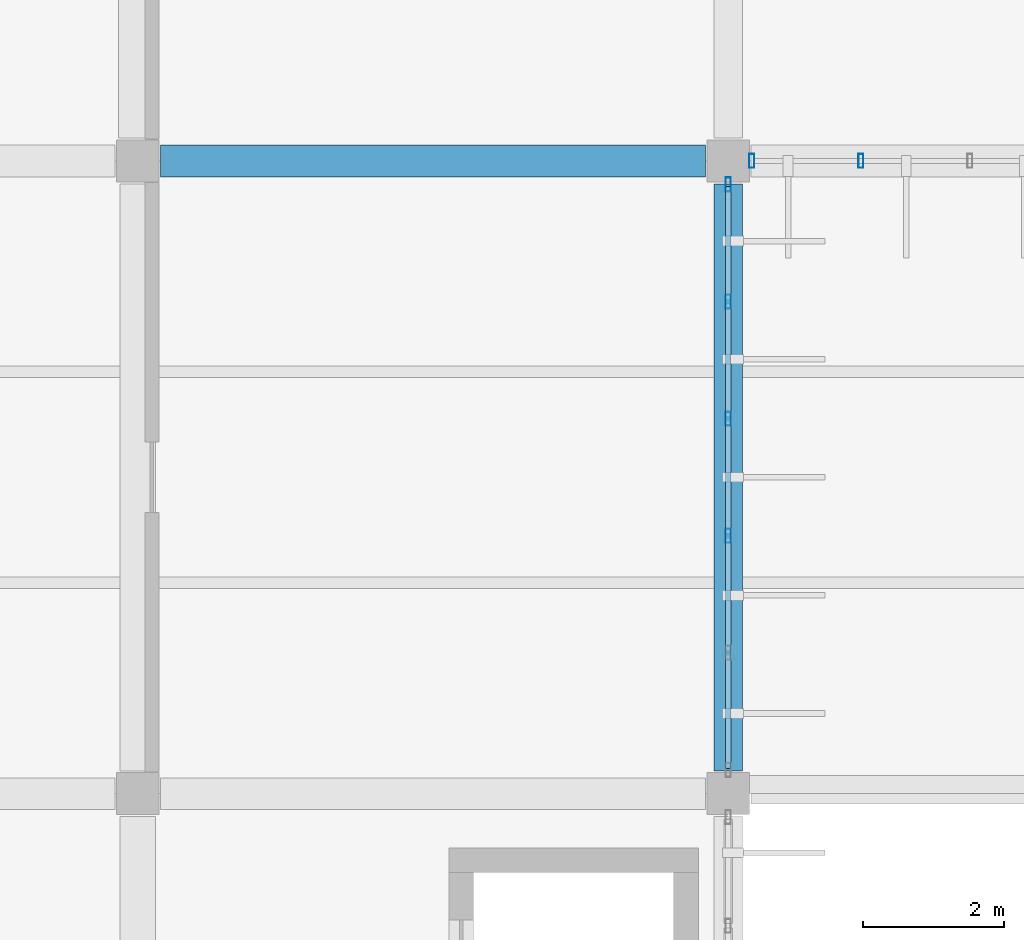
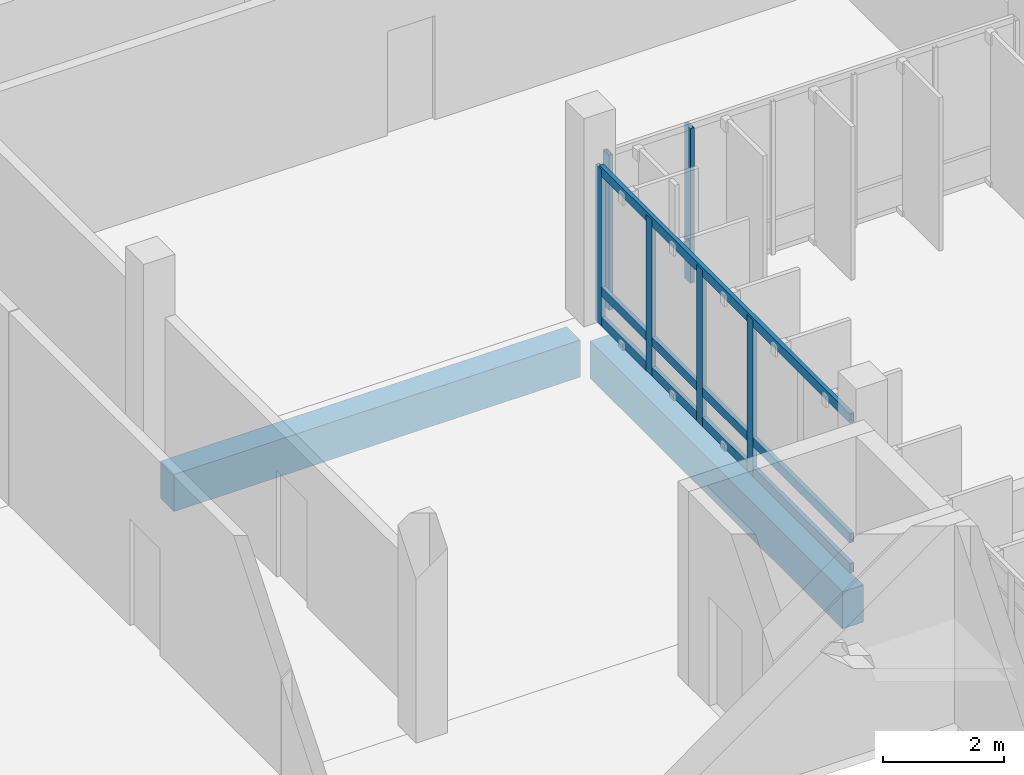
# One storey, part 76 of 130: 9 members, 2 beams, 2 elements without a shape of their own.
"""IFC4 building model written with IfcOpenShell, lengths in metres."""

from ifc_helpers import new_model, si_unit, direction, frame, origin, origin_2d, place, context, subcontext, project, spatial, rectangle, hollow_rectangle, extrude, material, layer, layer_set, material_profile, profile_set, type_object, element, aggregate, save


model = new_model("IFC4")

# Units and contexts
model_context = context("Model", 3, precision=1e-05, world=origin(), true_north=direction((0.0, 1.0)))
body_context = subcontext(model_context, "Body", "Model", "MODEL_VIEW")
ifc_project = project(units=[si_unit("LENGTHUNIT", "METRE"), si_unit("AREAUNIT", "SQUARE_METRE"), si_unit("VOLUMEUNIT", "CUBIC_METRE"), si_unit("PLANEANGLEUNIT", "RADIAN"), si_unit("MASSUNIT", "GRAM", prefix="KILO")], contexts=[model_context])

# Site, building, storey
site_placement = place(None, origin())
site = spatial("IfcSite", under=ifc_project, at=site_placement, CompositionType="ELEMENT")
building_placement = place(site_placement, origin())
building = spatial("IfcBuilding", under=site, at=building_placement, Name="Vireocrest Preparatory School", CompositionType="ELEMENT")
storey_placement = place(building_placement, frame((0.0, 0.0, 9.0)))
storey = spatial("IfcBuildingStorey", under=building, at=storey_placement, Name="L02", CompositionType="ELEMENT", Elevation=9.0)

# Curtain wall, members
ifc_material_1 = material(Name="Thermally broken aluminium EN AW-6063-T6", Category="aluminium")
ifc_layer_1 = layer(ifc_material_1, 0.179931640625)
ifc_layer_set_1 = layer_set([ifc_layer_1], Name="Thermally broken aluminium EN AW-6063-T6")
curtain_wall_type_1 = type_object("IfcCurtainWallType", Name="Side Facade Curtain Wall 9000x4200", PredefinedType="USERDEFINED", material=ifc_layer_set_1)
curtain_wall_1_placement = place(storey_placement, origin())
curtain_wall_1 = element("IfcCurtainWall", 1, at=curtain_wall_1_placement, inside=storey, type_object=curtain_wall_type_1, Name="Curtain Wall CW07 CW_L02_CW07_1092_0861_090", ObjectType="CURTAIN WALL", PredefinedType="USERDEFINED")
ifc_material_profile_1 = material_profile(ifc_material_1, hollow_rectangle(XDim=0.074951171875, YDim=0.199951171875, WallThickness=0.0048828125, at=origin_2d()), Name="ALU 75x200x5")
ifc_profile_set_1 = profile_set([ifc_material_profile_1], Name="Thermally broken aluminium EN AW-6063-T6")
member_type_1 = type_object("IfcMemberType", Name="CW Mullion 75x200x5", PredefinedType="MULLION", material=ifc_profile_set_1)
member_1_placement = place(storey_placement, frame((109.199951171875, 89.467041015625, 0.0), z_axis=(0.0, 0.0, 1.0), x_axis=(1.0, 0.0, 0.0)))
member_1 = element("IfcMember", 2, at=member_1_placement, type_object=member_type_1, Name="CW Mullion ML3 CW_L02_CW07_1092_0861_090-3", PredefinedType="MULLION", context=body_context, shape_type="SweptSolid", body=[
    extrude(hollow_rectangle(XDim=0.074951171875, YDim=0.199951171875, WallThickness=0.0048828125, at=origin_2d()), origin(), (0.0, 0.0, 1.0), 3.155029296875),
])
member_2_placement = place(storey_placement, frame((109.199951171875, 91.133056640625, 0.0), z_axis=(0.0, 0.0, 1.0), x_axis=(1.0, 0.0, 0.0)))
member_2 = element("IfcMember", 3, at=member_2_placement, type_object=member_type_1, Name="CW Mullion ML3 CW_L02_CW07_1092_0861_090-4", PredefinedType="MULLION", context=body_context, shape_type="SweptSolid", body=[
    extrude(hollow_rectangle(XDim=0.074951171875, YDim=0.199951171875, WallThickness=0.0048828125, at=origin_2d()), origin(), (0.0, 0.0, 1.0), 3.155029296875),
])
member_3_placement = place(storey_placement, frame((109.199951171875, 92.799072265625, 0.0), z_axis=(0.0, 0.0, 1.0), x_axis=(1.0, 0.0, 0.0)))
member_3 = element("IfcMember", 4, at=member_3_placement, type_object=member_type_1, Name="CW Mullion ML3 CW_L02_CW07_1092_0861_090-5", PredefinedType="MULLION", context=body_context, shape_type="SweptSolid", body=[
    extrude(hollow_rectangle(XDim=0.074951171875, YDim=0.199951171875, WallThickness=0.0048828125, at=origin_2d()), origin(), (0.0, 0.0, 1.0), 3.155029296875),
])
member_4_placement = place(storey_placement, frame((109.199951171875, 94.465087890625, 0.0), z_axis=(0.0, 0.0, 1.0), x_axis=(1.0, 0.0, 0.0)))
member_4 = element("IfcMember", 5, at=member_4_placement, type_object=member_type_1, Name="CW Mullion ML3 CW_L02_CW07_1092_0861_090-6", PredefinedType="MULLION", context=body_context, shape_type="SweptSolid", body=[
    extrude(hollow_rectangle(XDim=0.074951171875, YDim=0.199951171875, WallThickness=0.0048828125, at=origin_2d()), origin(), (0.0, 0.0, 1.0), 3.155029296875),
])

ifc_layer_2 = layer(ifc_material_1, 0.179931640625)
ifc_layer_set_2 = layer_set([ifc_layer_2], Name="Thermally broken aluminium EN AW-6063-T6")
curtain_wall_type_2 = type_object("IfcCurtainWallType", Name="Side Banded Curtain Wall 9000x3200", PredefinedType="USERDEFINED", material=ifc_layer_set_2)
curtain_wall_2_placement = place(storey_placement, origin())
curtain_wall_2 = element("IfcCurtainWall", 6, at=curtain_wall_2_placement, inside=storey, type_object=curtain_wall_type_2, Name="Curtain Wall CW09 CW_L02_CW09_1095_0948_090", ObjectType="CURTAIN WALL", PredefinedType="USERDEFINED")
member_5_placement = place(storey_placement, frame((109.534912109375, 94.800048828125, 0.0), z_axis=(0.0, 0.0, 1.0), x_axis=(1.0, 0.0, 0.0)))
member_5 = element("IfcMember", 7, at=member_5_placement, type_object=member_type_1, Name="CW Mullion ML3 CW_L02_CW09_1095_0948_090-1", PredefinedType="MULLION", context=body_context, shape_type="SweptSolid", body=[
    extrude(hollow_rectangle(XDim=0.074951171875, YDim=0.199951171875, WallThickness=0.0048828125, at=origin_2d()), origin(), (0.0, 0.0, 1.0), 3.125),
])
member_6_placement = place(storey_placement, frame((111.0859375, 94.800048828125, 0.0), z_axis=(0.0, 0.0, 1.0), x_axis=(1.0, 0.0, 0.0)))
member_6 = element("IfcMember", 8, at=member_6_placement, type_object=member_type_1, Name="CW Mullion ML3 CW_L02_CW09_1095_0948_090-2", PredefinedType="MULLION", context=body_context, shape_type="SweptSolid", body=[
    extrude(hollow_rectangle(XDim=0.074951171875, YDim=0.199951171875, WallThickness=0.0048828125, at=origin_2d()), origin(), (0.0, 0.0, 1.0), 3.125),
])
aggregate(curtain_wall_2, [member_5, member_6])

# Member
ifc_material_profile_2 = material_profile(ifc_material_1, hollow_rectangle(XDim=0.074951171875, YDim=0.18994140625, WallThickness=0.00390625, at=origin_2d()), Name="ALU 75x190x4")
ifc_profile_set_2 = profile_set([ifc_material_profile_2], Name="Thermally broken aluminium EN AW-6063-T6")
member_type_2 = type_object("IfcMemberType", Name="CW Transom 75x190x4", PredefinedType="USERDEFINED", material=ifc_profile_set_2)
member_7_placement = place(storey_placement, frame((109.199951171875, 86.159912109375, 0.094970703125), z_axis=(0.0, 1.0, 0.0), x_axis=(-1.0, 0.0, 0.0)))
member_7 = element("IfcMember", 9, at=member_7_placement, type_object=member_type_2, Name="CW Transom TR3 CW_L02_CW07_1092_0861_090-1", ObjectType="TRANSOM", PredefinedType="USERDEFINED", context=body_context, shape_type="SweptSolid", body=[
    extrude(hollow_rectangle(XDim=0.074951171875, YDim=0.18994140625, WallThickness=0.00390625, at=origin_2d()), origin(), (0.0, 0.0, 1.0), 8.280029296875),
])

member_8_placement = place(storey_placement, frame((109.199951171875, 86.159912109375, 0.699951171875), z_axis=(0.0, 1.0, 0.0), x_axis=(-1.0, 0.0, 0.0)))
member_8 = element("IfcMember", 10, at=member_8_placement, type_object=member_type_2, Name="CW Transom TR3 CW_L02_CW07_1092_0861_090-2", ObjectType="TRANSOM", PredefinedType="USERDEFINED", context=body_context, shape_type="SweptSolid", body=[
    extrude(hollow_rectangle(XDim=0.074951171875, YDim=0.18994140625, WallThickness=0.00390625, at=origin_2d()), origin(), (0.0, 0.0, 1.0), 8.280029296875),
])

member_9_placement = place(storey_placement, frame((109.199951171875, 86.159912109375, 3.114990234375), z_axis=(0.0, 1.0, 0.0), x_axis=(-1.0, 0.0, 0.0)))
member_9 = element("IfcMember", 11, at=member_9_placement, type_object=member_type_2, Name="CW Transom TR3 CW_L02_CW07_1092_0861_090-3", ObjectType="TRANSOM", PredefinedType="USERDEFINED", context=body_context, shape_type="SweptSolid", body=[
    extrude(hollow_rectangle(XDim=0.074951171875, YDim=0.18994140625, WallThickness=0.00390625, at=origin_2d()), origin(), (0.0, 0.0, 1.0), 8.280029296875),
])

aggregate(curtain_wall_1, [member_1, member_2, member_3, member_4, member_7, member_8, member_9])

# Beams
ifc_material_2 = material(Name="Concrete 40 MPa", Category="concrete")
ifc_material_profile_3 = material_profile(ifc_material_2, rectangle(XDim=0.39990234375, YDim=0.75, at=origin_2d()), Name="RC 400x750")
ifc_profile_set_3 = profile_set([ifc_material_profile_3], Name="Concrete 40 MPa")
beam_type_1 = type_object("IfcBeamType", Name="RC Commons Girder 400x750", PredefinedType="BEAM", material=ifc_profile_set_3)
beam_1_placement = place(storey_placement, frame((109.199951171875, 86.125, -0.675048828125), z_axis=(0.0, 1.0, 0.0), x_axis=(-1.0, 0.0, 0.0)))
element("IfcBeam", 12, at=beam_1_placement, inside=storey, type_object=beam_type_1, Name="Primary Girder B09 L02-0866", PredefinedType="BEAM", context=body_context, shape_type="SweptSolid", body=[
    extrude(rectangle(XDim=0.39990234375, YDim=0.75, at=origin_2d()), origin(), (0.0, 0.0, 1.0), 8.35009765625),
])
ifc_material_profile_4 = material_profile(ifc_material_2, rectangle(XDim=0.449951171875, YDim=0.75, at=origin_2d()), Name="RC 450x750")
ifc_profile_set_4 = profile_set([ifc_material_profile_4], Name="Concrete 40 MPa")
beam_type_2 = type_object("IfcBeamType", Name="RC Library Stack Girder 450x750", PredefinedType="BEAM", material=ifc_profile_set_4)
beam_2_placement = place(storey_placement, frame((101.125, 94.800048828125, -0.675048828125), z_axis=(1.0, 0.0, 0.0), x_axis=(0.0, 1.0, 0.0)))
element("IfcBeam", 13, at=beam_2_placement, inside=storey, type_object=beam_type_2, Name="Primary Girder B11 L02-0763", PredefinedType="BEAM", context=body_context, shape_type="SweptSolid", body=[
    extrude(rectangle(XDim=0.449951171875, YDim=0.75, at=origin_2d()), origin(), (0.0, 0.0, 1.0), 7.75),
])

save(model, "model.ifc")
